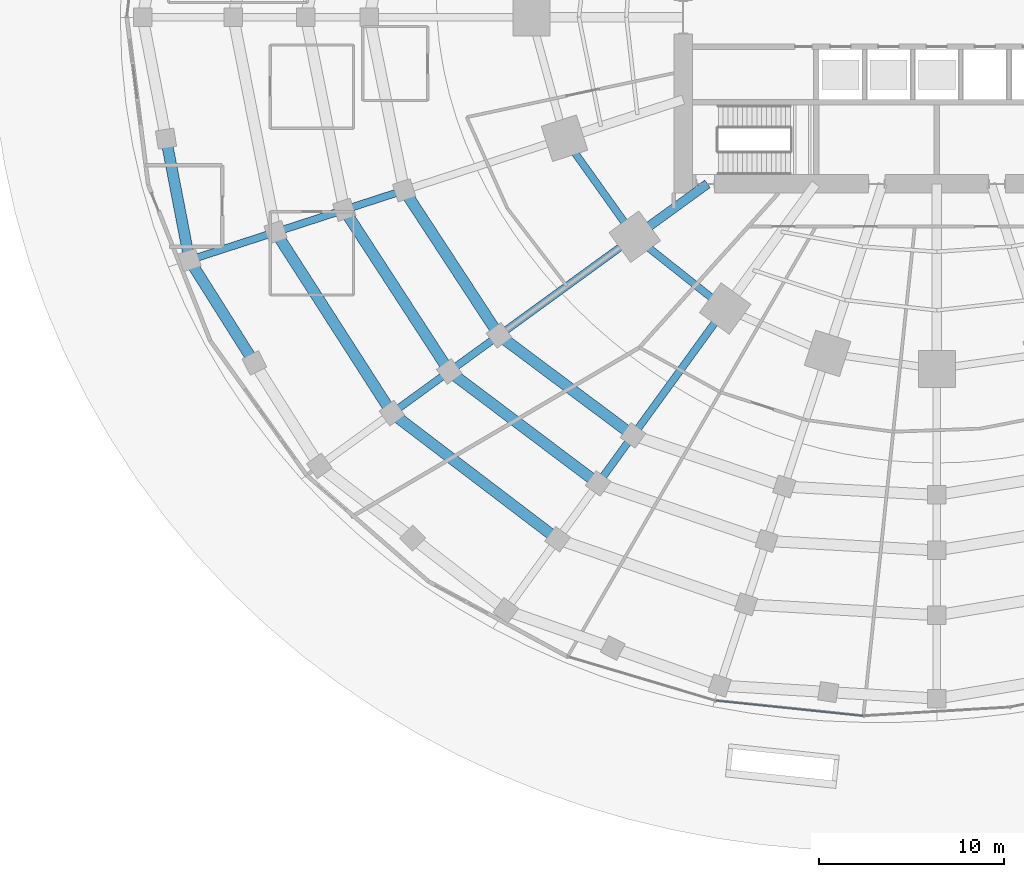
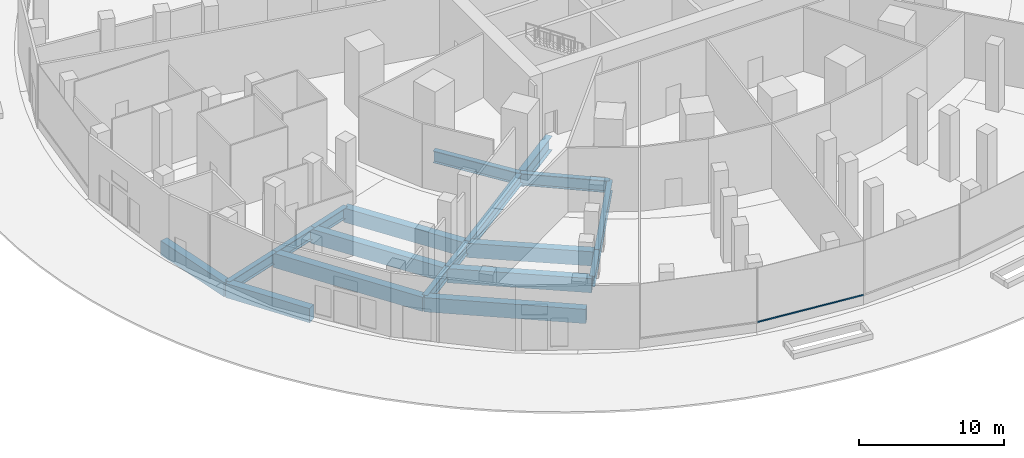
# One storey, part 3 of 23: 19 beams, 1 member, 1 element without a shape of its own.
"""IFC4 building model written with IfcOpenShell, lengths in metres."""

from ifc_helpers import new_model, si_unit, direction, frame, origin, origin_2d, place, context, subcontext, project, spatial, rectangle, i_section, extrude, material, material_profile, profile_set, type_object, element, aggregate, save


model = new_model("IFC4")

# Units and contexts
model_context = context("Model", 3, precision=1e-05, world=origin(), true_north=direction((0.0, 1.0)))
body_context = subcontext(model_context, "Body", "Model", "MODEL_VIEW")
ifc_project = project(units=[si_unit("LENGTHUNIT", "METRE"), si_unit("AREAUNIT", "SQUARE_METRE"), si_unit("VOLUMEUNIT", "CUBIC_METRE"), si_unit("PLANEANGLEUNIT", "RADIAN"), si_unit("MASSUNIT", "GRAM", prefix="KILO")], contexts=[model_context])

# Site, building, storey
site_placement = place(None, origin())
site = spatial("IfcSite", under=ifc_project, at=site_placement, CompositionType="ELEMENT")
building_placement = place(site_placement, origin())
building = spatial("IfcBuilding", under=site, at=building_placement, Name="Marramba Exchange Tower", CompositionType="ELEMENT")
storey_placement = place(building_placement, origin())
storey = spatial("IfcBuildingStorey", under=building, at=storey_placement, Name="L00", CompositionType="ELEMENT", Elevation=0.0)

# Beams
ifc_material_1 = material(Name="Concrete N50", Category="concrete")
ifc_material_profile_1 = material_profile(ifc_material_1, rectangle(XDim=0.60009765625, YDim=1.199951171875, at=origin_2d()), Name="RC 600x1200")
ifc_profile_set_1 = profile_set([ifc_material_profile_1], Name="Concrete N50")
beam_type_1 = type_object("IfcBeamType", Name="Edge beam RC 600x1200 N50", PredefinedType="SPANDREL", material=ifc_profile_set_1)
beam_1_placement = place(storey_placement, frame((-41.631591796875, -6.557373046875, -0.800048828125), z_axis=(0.189898017432, -0.981803821023, 0.0), x_axis=(0.981803821023, 0.189898017432, 0.0)))
element("IfcBeam", 1, at=beam_1_placement, inside=storey, type_object=beam_type_1, Name="Edge beam L00 P0C11 half 2", PredefinedType="SPANDREL", context=body_context, shape_type="SweptSolid", body=[
    extrude(rectangle(XDim=0.60009765625, YDim=1.199951171875, at=origin_2d()), origin(), (0.0, 0.0, 1.0), 6.678955078125),
])
beam_2_placement = place(storey_placement, frame((-40.36328125, -13.11474609375, -0.800048828125), z_axis=(0.533440772983, -0.845837420383, 0.0), x_axis=(0.845837420383, 0.533440772983, 0.0)))
element("IfcBeam", 2, at=beam_2_placement, inside=storey, type_object=beam_type_1, Name="Edge beam L00 P0C12 half 1", PredefinedType="SPANDREL", context=body_context, shape_type="SweptSolid", body=[
    extrude(rectangle(XDim=0.60009765625, YDim=1.199951171875, at=origin_2d()), origin(), (0.0, 0.0, 1.0), 6.57177734375),
])
beam_3_placement = place(storey_placement, frame((-35.712158203125, -11.603515625, -0.800048828125), z_axis=(0.540426316599, -0.841391345526, 0.0), x_axis=(0.841391345526, 0.540426316599, 0.0)))
element("IfcBeam", 3, at=beam_3_placement, inside=storey, type_object=beam_type_1, Name="Edge beam L00 P1C12", PredefinedType="SPANDREL", context=body_context, shape_type="SweptSolid", body=[
    extrude(rectangle(XDim=0.60009765625, YDim=1.199951171875, at=origin_2d()), origin(), (0.0, 0.0, 1.0), 11.622802734375),
])
beam_4_placement = place(storey_placement, frame((-29.430908203125, -21.3828125, -0.800048828125), z_axis=(0.795801398517, -0.605557705027, 0.0), x_axis=(0.605557705027, 0.795801398517, 0.0)))
element("IfcBeam", 4, at=beam_4_placement, inside=storey, type_object=beam_type_1, Name="Edge beam L00 P1C13", PredefinedType="SPANDREL", context=body_context, shape_type="SweptSolid", body=[
    extrude(rectangle(XDim=0.60009765625, YDim=1.199951171875, at=origin_2d()), origin(), (0.0, 0.0, 1.0), 11.244384765625),
])
beam_5_placement = place(storey_placement, frame((-32.005126953125, -10.399169921875, -0.800048828125), z_axis=(0.544797972412, -0.838567331379, 0.0), x_axis=(0.838567331379, 0.544797972412, 0.0)))
element("IfcBeam", 5, at=beam_5_placement, inside=storey, type_object=beam_type_1, Name="Edge beam L00 P2C12", PredefinedType="SPANDREL", context=body_context, shape_type="SweptSolid", body=[
    extrude(rectangle(XDim=0.60009765625, YDim=1.199951171875, at=origin_2d()), origin(), (0.0, 0.0, 1.0), 10.413330078125),
])
beam_6_placement = place(storey_placement, frame((-26.33203125, -19.13134765625, -0.800048828125), z_axis=(0.799014535073, -0.601311710132, 0.0), x_axis=(0.601311710132, 0.799014535073, 0.0)))
element("IfcBeam", 6, at=beam_6_placement, inside=storey, type_object=beam_type_1, Name="Edge beam L00 P2C13", PredefinedType="SPANDREL", context=body_context, shape_type="SweptSolid", body=[
    extrude(rectangle(XDim=0.60009765625, YDim=1.199951171875, at=origin_2d()), origin(), (0.0, 0.0, 1.0), 10.059326171875),
])
beam_7_placement = place(storey_placement, frame((-28.770263671875, -9.34814453125, -0.800048828125), z_axis=(0.547649213564, -0.836708036822, 0.0), x_axis=(0.836708036822, 0.547649213564, 0.0)))
element("IfcBeam", 7, at=beam_7_placement, inside=storey, type_object=beam_type_1, Name="Edge beam L00 P3C12", PredefinedType="SPANDREL", context=body_context, shape_type="SweptSolid", body=[
    extrude(rectangle(XDim=0.60009765625, YDim=1.199951171875, at=origin_2d()), origin(), (0.0, 0.0, 1.0), 9.359130859375),
])
beam_8_placement = place(storey_placement, frame((-23.644775390625, -17.178955078125, -0.800048828125), z_axis=(0.801143536075, -0.598472250489, 0.0), x_axis=(0.598472250489, 0.801143536075, 0.0)))
element("IfcBeam", 8, at=beam_8_placement, inside=storey, type_object=beam_type_1, Name="Edge beam L00 P3C13", PredefinedType="SPANDREL", context=body_context, shape_type="SweptSolid", body=[
    extrude(rectangle(XDim=0.60009765625, YDim=1.199951171875, at=origin_2d()), origin(), (0.0, 0.0, 1.0), 9.0322265625),
])

# Curtain wall, member
ifc_material_2 = material(Name="Aluminium framing, bronze anodised", Category="aluminium")
curtain_wall_type = type_object("IfcCurtainWallType", Name="Exchange hall glazed wall", PredefinedType="USERDEFINED", material=ifc_material_2)
curtain_wall_placement = place(storey_placement, origin())
curtain_wall = element("IfcCurtainWall", 9, at=curtain_wall_placement, inside=storey, type_object=curtain_wall_type, Name="Curtain wall CW1 L00 F21-F24", ObjectType="RIBBON CURTAIN WALL", PredefinedType="USERDEFINED")
ifc_material_3 = material(Name="Aluminium transom, bronze anodised", Category="aluminium")
ifc_material_profile_2 = material_profile(ifc_material_3, rectangle(XDim=0.06005859375, YDim=0.1201171875, at=origin_2d()), Name="CW1 transom 60x120")
ifc_profile_set_2 = profile_set([ifc_material_profile_2], Name="Aluminium transom, bronze anodised")
member_type = type_object("IfcMemberType", Name="Exchange hall glazed wall transom", PredefinedType="USERDEFINED", material=ifc_profile_set_2)
member_placement = place(storey_placement, frame((-11.931640625, -36.911865234375, 0.830078125), z_axis=(0.994676503376, -0.103046851634, 0.0), x_axis=(0.103046851634, 0.994676503376, 0.0)))
member = element("IfcMember", 10, at=member_placement, type_object=member_type, Name="CW1 sill transom", ObjectType="TRANSOM", PredefinedType="USERDEFINED", context=body_context, shape_type="SweptSolid", body=[
    extrude(rectangle(XDim=0.06005859375, YDim=0.1201171875, at=origin_2d()), origin(), (0.0, 0.0, 1.0), 8.008056640625),
])
aggregate(curtain_wall, [member])

# Beams
ifc_material_4 = material(Name="Steel AS/NZS 3679.2 grade 300", Category="steel")
ifc_material_profile_3 = material_profile(ifc_material_4, i_section(OverallWidth=0.5, OverallDepth=1.199951171875, WebThickness=0.01611328125, FlangeThickness=0.0400390625, at=origin_2d()), Name="1200WB455")
ifc_profile_set_3 = profile_set([ifc_material_profile_3], Name="Steel AS/NZS 3679.2 grade 300")
beam_type_2 = type_object("IfcBeamType", Name="Radial girder 1200WB455", PredefinedType="BEAM", material=ifc_profile_set_3)
beam_9_placement = place(storey_placement, frame((-12.387451171875, -9.0, -0.800048828125), z_axis=(-0.809025189606, -0.58777397236, 0.0), x_axis=(0.58777397236, -0.809025189606, 0.0)))
element("IfcBeam", 11, at=beam_9_placement, inside=storey, type_object=beam_type_2, Name="Radial girder L00 TC13", PredefinedType="BEAM", context=body_context, shape_type="SweptSolid", body=[
    extrude(i_section(OverallWidth=0.5, OverallDepth=1.199951171875, WebThickness=0.01611328125, FlangeThickness=0.0400390625, at=origin_2d()), origin(), (0.0, 0.0, 1.0), 4.855224609375),
])
ifc_material_profile_4 = material_profile(ifc_material_4, i_section(OverallWidth=0.39990234375, OverallDepth=0.89990234375, WebThickness=0.01611328125, FlangeThickness=0.031982421875, at=origin_2d()), Name="900WB282")
ifc_profile_set_4 = profile_set([ifc_material_profile_4], Name="Steel AS/NZS 3679.2 grade 300")
beam_type_3 = type_object("IfcBeamType", Name="Radial girder 900WB282", PredefinedType="BEAM", material=ifc_profile_set_4)
beam_10_placement = place(storey_placement, frame((-40.36328125, -13.11474609375, -0.64990234375), z_axis=(0.951057178465, 0.309014956417, 0.0), x_axis=(-0.309014956417, 0.951057178465, 0.0)))
element("IfcBeam", 12, at=beam_10_placement, inside=storey, type_object=beam_type_3, Name="Radial girder L00 P0C12", PredefinedType="BEAM", context=body_context, shape_type="SweptSolid", body=[
    extrude(i_section(OverallWidth=0.39990234375, OverallDepth=0.89990234375, WebThickness=0.01611328125, FlangeThickness=0.031982421875, at=origin_2d()), origin(), (0.0, 0.0, 1.0), 4.890380859375),
])
beam_11_placement = place(storey_placement, frame((-35.712158203125, -11.603515625, -0.64990234375), z_axis=(0.95106720483, 0.308984096511, 0.0), x_axis=(-0.308984096511, 0.95106720483, 0.0)))
element("IfcBeam", 13, at=beam_11_placement, inside=storey, type_object=beam_type_3, Name="Radial girder L00 P1C12", PredefinedType="BEAM", context=body_context, shape_type="SweptSolid", body=[
    extrude(i_section(OverallWidth=0.39990234375, OverallDepth=0.89990234375, WebThickness=0.01611328125, FlangeThickness=0.031982421875, at=origin_2d()), origin(), (0.0, 0.0, 1.0), 3.897705078125),
])
beam_12_placement = place(storey_placement, frame((-29.430908203125, -21.3828125, -0.64990234375), z_axis=(0.809017124945, 0.587785072579, 0.0), x_axis=(-0.587785072579, 0.809017124945, 0.0)))
element("IfcBeam", 14, at=beam_12_placement, inside=storey, type_object=beam_type_3, Name="Radial girder L00 P1C13", PredefinedType="BEAM", context=body_context, shape_type="SweptSolid", body=[
    extrude(i_section(OverallWidth=0.39990234375, OverallDepth=0.89990234375, WebThickness=0.01611328125, FlangeThickness=0.031982421875, at=origin_2d()), origin(), (0.0, 0.0, 1.0), 3.830322265625),
])
beam_13_placement = place(storey_placement, frame((-32.005126953125, -10.399169921875, -0.64990234375), z_axis=(0.951060439376, 0.309004920114, 0.0), x_axis=(-0.309004920114, 0.951060439376, 0.0)))
element("IfcBeam", 15, at=beam_13_placement, inside=storey, type_object=beam_type_3, Name="Radial girder L00 P2C12", PredefinedType="BEAM", context=body_context, shape_type="SweptSolid", body=[
    extrude(i_section(OverallWidth=0.39990234375, OverallDepth=0.89990234375, WebThickness=0.01611328125, FlangeThickness=0.031982421875, at=origin_2d()), origin(), (0.0, 0.0, 1.0), 3.4013671875),
])
beam_14_placement = place(storey_placement, frame((-26.33203125, -19.13134765625, -0.64990234375), z_axis=(0.809018867973, 0.587782673497, 0.0), x_axis=(-0.587782673497, 0.809018867973, 0.0)))
element("IfcBeam", 16, at=beam_14_placement, inside=storey, type_object=beam_type_3, Name="Radial girder L00 P2C13", PredefinedType="BEAM", context=body_context, shape_type="SweptSolid", body=[
    extrude(i_section(OverallWidth=0.39990234375, OverallDepth=0.89990234375, WebThickness=0.01611328125, FlangeThickness=0.031982421875, at=origin_2d()), origin(), (0.0, 0.0, 1.0), 3.321533203125),
])
beam_15_placement = place(storey_placement, frame((-18.29443359375, -25.18017578125, -0.64990234375), z_axis=(0.587755361263, 0.809038710635, 0.0), x_axis=(-0.809038710635, 0.587755361263, 0.0)))
element("IfcBeam", 17, at=beam_15_placement, inside=storey, type_object=beam_type_3, Name="Radial girder L00 P2C14", PredefinedType="BEAM", context=body_context, shape_type="SweptSolid", body=[
    extrude(i_section(OverallWidth=0.39990234375, OverallDepth=0.89990234375, WebThickness=0.01611328125, FlangeThickness=0.031982421875, at=origin_2d()), origin(), (0.0, 0.0, 1.0), 3.20849609375),
])
beam_16_placement = place(storey_placement, frame((-23.644775390625, -17.178955078125, -0.64990234375), z_axis=(0.809011012896, 0.587793485004, 0.0), x_axis=(-0.587793485004, 0.809011012896, 0.0)))
element("IfcBeam", 18, at=beam_16_placement, inside=storey, type_object=beam_type_3, Name="Radial girder L00 P3C13", PredefinedType="BEAM", context=body_context, shape_type="SweptSolid", body=[
    extrude(i_section(OverallWidth=0.39990234375, OverallDepth=0.89990234375, WebThickness=0.01611328125, FlangeThickness=0.031982421875, at=origin_2d()), origin(), (0.0, 0.0, 1.0), 9.0595703125),
])
beam_17_placement = place(storey_placement, frame((-16.40869140625, -22.58447265625, -0.64990234375), z_axis=(0.58779626967, 0.809008989667, 0.0), x_axis=(-0.809008989667, 0.58779626967, 0.0)))
element("IfcBeam", 19, at=beam_17_placement, inside=storey, type_object=beam_type_3, Name="Radial girder L00 P3C14", PredefinedType="BEAM", context=body_context, shape_type="SweptSolid", body=[
    extrude(i_section(OverallWidth=0.39990234375, OverallDepth=0.89990234375, WebThickness=0.01611328125, FlangeThickness=0.031982421875, at=origin_2d()), origin(), (0.0, 0.0, 1.0), 8.469482421875),
])
ifc_material_profile_5 = material_profile(ifc_material_4, i_section(OverallWidth=0.39990234375, OverallDepth=1.0, WebThickness=0.01611328125, FlangeThickness=0.031982421875, at=origin_2d()), Name="1000WB322")
ifc_profile_set_5 = profile_set([ifc_material_profile_5], Name="Steel AS/NZS 3679.2 grade 300")
beam_type_4 = type_object("IfcBeamType", Name="Ring beam 1000WB322", PredefinedType="SPANDREL", material=ifc_profile_set_5)
beam_18_placement = place(storey_placement, frame((-20.109375, -6.533935546875, -0.699951171875), z_axis=(0.580637181111, -0.814162430914, 0.0), x_axis=(0.814162430914, 0.580637181111, 0.0)))
element("IfcBeam", 20, at=beam_18_placement, inside=storey, type_object=beam_type_4, Name="Ring beam L00 TC12-TC13", PredefinedType="SPANDREL", context=body_context, shape_type="SweptSolid", body=[
    extrude(i_section(OverallWidth=0.39990234375, OverallDepth=1.0, WebThickness=0.01611328125, FlangeThickness=0.031982421875, at=origin_2d()), origin(), (0.0, 0.0, 1.0), 6.5341796875),
])
beam_19_placement = place(storey_placement, frame((-16.3154296875, -11.853759765625, -0.699951171875), z_axis=(0.783139438128, -0.621846138887, 0.0), x_axis=(0.621846138887, 0.783139438128, 0.0)))
element("IfcBeam", 21, at=beam_19_placement, inside=storey, type_object=beam_type_4, Name="Ring beam L00 TC13-TC14", PredefinedType="SPANDREL", context=body_context, shape_type="SweptSolid", body=[
    extrude(i_section(OverallWidth=0.39990234375, OverallDepth=1.0, WebThickness=0.01611328125, FlangeThickness=0.031982421875, at=origin_2d()), origin(), (0.0, 0.0, 1.0), 6.23779296875),
])

save(model, "model.ifc")
